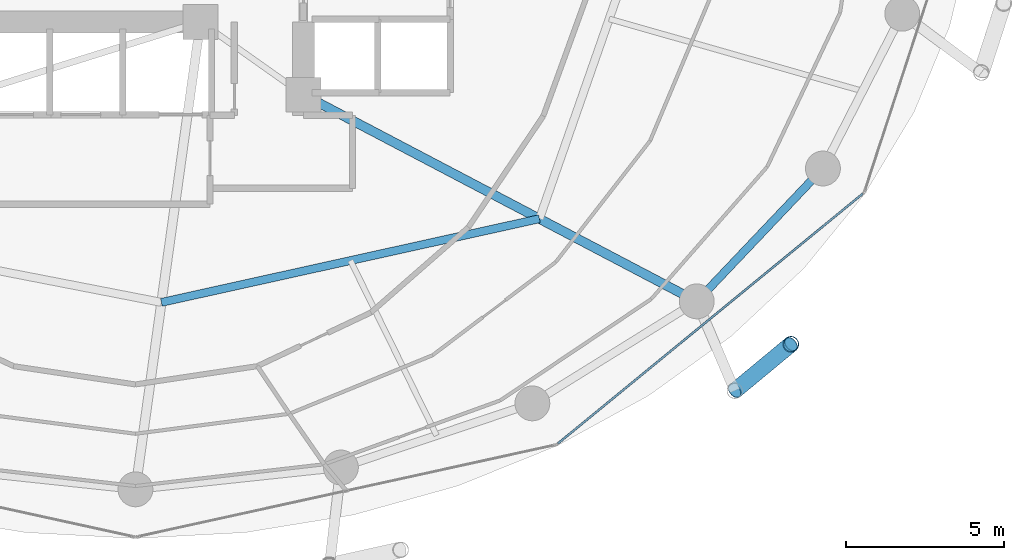
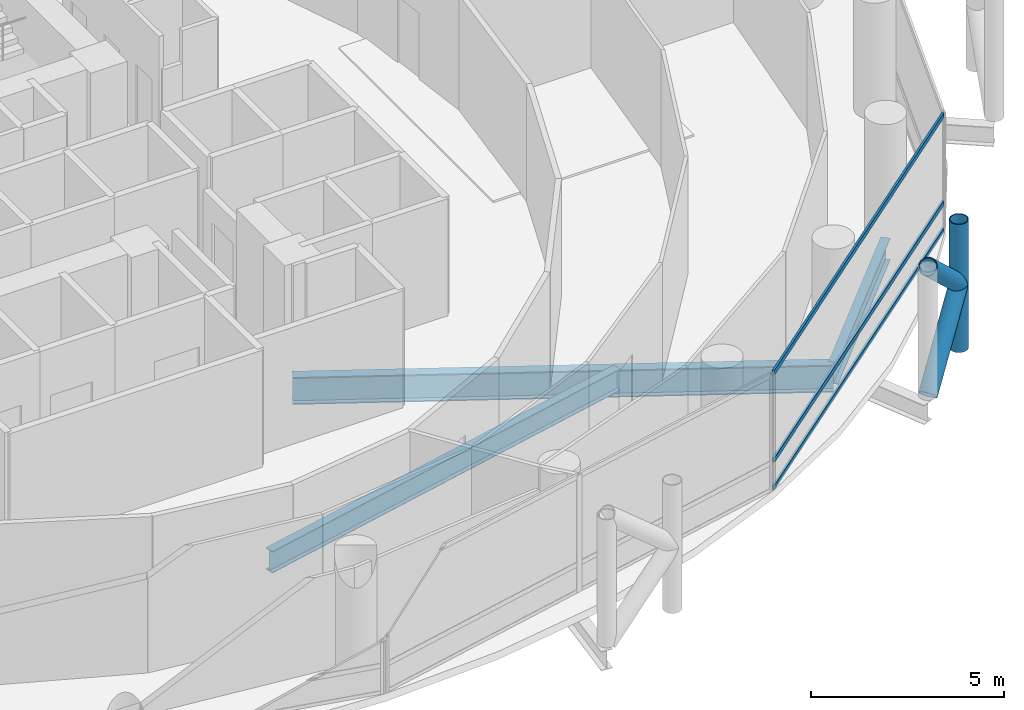
# One storey, part 9 of 27: 6 members, 3 beams, 1 element without a shape of its own.
"""IFC4 building model written with IfcOpenShell, lengths in metres."""

import ifcopenshell
import ifcopenshell.guid

model = None  # the IFC model being written
_history = None  # IfcOwnerHistory: only IFC2X3 demands one
_inside = {}  # id of a spatial element -> (the spatial element, [elements in it])
_under = {}  # id of a project, library or spatial element -> (it, [spatial elements below it])
_declared = {}  # id of a project -> (the project, [libraries it declares])
_typed = {}  # id of a type object -> (the type object, [elements of that type])
_made_of = {}  # id of a material, layer set ... -> (it, [elements and type objects made of it])


def new_model(schema):
    """Start an empty IFC model of exactly this schema.

    Asked for "IFC4X3", IfcOpenShell would pick the latest addendum, in which some entities
    have other attributes; the version numbers below select the first issue.
    IFC2X3 requires an IfcOwnerHistory on every rooted entity: one is made here for all.
    """
    global model, _history
    if schema == "IFC4X3":
        model = ifcopenshell.file(schema_version=(4, 3, 0, 0))
    else:
        model = ifcopenshell.file(schema=schema)
    _inside.clear()
    _under.clear()
    _declared.clear()
    _typed.clear()
    _made_of.clear()
    _history = None
    if model.schema == "IFC2X3":
        org = make("IfcOrganization", Name="unknown")
        user = make(
            "IfcPersonAndOrganization",
            ThePerson=make("IfcPerson", FamilyName="unknown"),
            TheOrganization=org,
        )
        app = make(
            "IfcApplication",
            ApplicationDeveloper=org,
            Version="unknown",
            ApplicationFullName="unknown",
            ApplicationIdentifier="unknown",
        )
        _history = make(
            "IfcOwnerHistory",
            OwningUser=user,
            OwningApplication=app,
            ChangeAction="ADDED",
            CreationDate=0,
        )
    return model


def make(cls, **values):
    """One entity of the class cls with the attributes given. An attribute that is None is left unset."""
    return model.create_entity(
        cls, **{name: value for name, value in values.items() if value is not None}
    )


def rooted(cls, **values):
    """An entity with a GlobalId (a new one), such as an element, a storey or a relation."""
    return make(cls, GlobalId=ifcopenshell.guid.new(), OwnerHistory=_history, **values)


def si_unit(unit_type, name, prefix=None):
    """IfcSIUnit, for example si_unit("LENGTHUNIT", "METRE", prefix="MILLI")."""
    return make("IfcSIUnit", UnitType=unit_type, Prefix=prefix, Name=name)


def assignment(units):
    """IfcUnitAssignment: the units of a project."""
    return None if units is None else make("IfcUnitAssignment", Units=units)


def point(xyz):
    """IfcCartesianPoint."""
    return None if xyz is None else make("IfcCartesianPoint", Coordinates=xyz)


def direction(xyz):
    """IfcDirection."""
    return None if xyz is None else make("IfcDirection", DirectionRatios=xyz)


def frame(location, z_axis=None, x_axis=None):
    """IfcAxis2Placement3D, a coordinate frame: its origin and axes. An axis left out is left unset."""
    return make(
        "IfcAxis2Placement3D",
        Location=point(location),
        Axis=direction(z_axis),
        RefDirection=direction(x_axis),
    )


def frame_2d(location, x_axis=None):
    """IfcAxis2Placement2D, a coordinate frame in the plane: its origin and x axis."""
    return make(
        "IfcAxis2Placement2D", Location=point(location), RefDirection=direction(x_axis)
    )


def origin():
    """The frame at (0, 0, 0) with its axes left unset."""
    return frame((0.0, 0.0, 0.0))


def origin_2d():
    """The frame at (0, 0) in the plane with its x axis left unset."""
    return frame_2d((0.0, 0.0))


def place(relative_to, where):
    """IfcLocalPlacement: puts the frame where relative to a parent placement (None: the world)."""
    return make(
        "IfcLocalPlacement", PlacementRelTo=relative_to, RelativePlacement=where
    )


def context(
    kind, dimensions, precision=None, world=None, true_north=None, identifier=None
):
    """IfcGeometricRepresentationContext, for example the 3D "Model" context."""
    return make(
        "IfcGeometricRepresentationContext",
        ContextIdentifier=identifier,
        ContextType=kind,
        CoordinateSpaceDimension=dimensions,
        Precision=precision,
        WorldCoordinateSystem=world,
        TrueNorth=true_north,
    )


def subcontext(parent, identifier, kind, view, scale=None):
    """IfcGeometricRepresentationSubContext, for example "Body" below "Model"."""
    return make(
        "IfcGeometricRepresentationSubContext",
        ContextIdentifier=identifier,
        ContextType=kind,
        ParentContext=parent,
        TargetScale=scale,
        TargetView=view,
    )


def project(units=None, contexts=None):
    """IfcProject with its units and contexts."""
    return rooted(
        "IfcProject",
        Name="project",
        RepresentationContexts=contexts,
        UnitsInContext=assignment(units),
    )


def spatial(cls, under=None, at=None, **own):
    """A site, building, storey or space (cls), placed at a placement, below another one or the project."""
    s = rooted(cls, ObjectPlacement=at, **own)
    if under is not None:
        _under.setdefault(under.id(), (under, []))[1].append(s)
    return s


def profile(cls, at=None, kind="AREA", **sizes):
    """A parametric profile (cls). Its sizes go by their IFC names, for example OverallWidth=200.0."""
    return make(cls, ProfileType=kind, Position=at, **sizes)


def hollow_rectangle(**sizes):
    """IfcRectangleHollowProfileDef."""
    return profile("IfcRectangleHollowProfileDef", **sizes)


def hollow_circle(**sizes):
    """IfcCircleHollowProfileDef."""
    return profile("IfcCircleHollowProfileDef", **sizes)


def i_section(**sizes):
    """IfcIShapeProfileDef."""
    return profile("IfcIShapeProfileDef", **sizes)


def extrude(swept, where, along, depth):
    """IfcExtrudedAreaSolid: the profile swept, set in the frame where, extruded along a direction by depth."""
    return make(
        "IfcExtrudedAreaSolid",
        SweptArea=swept,
        Position=where,
        ExtrudedDirection=direction(along),
        Depth=depth,
    )


def shape(context_of_items, identifier, shape_type, items):
    """IfcShapeRepresentation: the items that make up one representation, for example the "Body"."""
    return make(
        "IfcShapeRepresentation",
        ContextOfItems=context_of_items,
        RepresentationIdentifier=identifier,
        RepresentationType=shape_type,
        Items=items,
    )


def material(Name=None, Category=None):
    """IfcMaterial."""
    return make("IfcMaterial", Name=Name, Category=Category)


def layer(
    of_material, thickness, ventilated=None, Name=None, Category=None, Priority=None
):
    """IfcMaterialLayer: one layer of a wall or slab, of a material (None: an air gap)."""
    return make(
        "IfcMaterialLayer",
        Material=of_material,
        LayerThickness=thickness,
        IsVentilated=ventilated,
        Name=Name,
        Category=Category,
        Priority=Priority,
    )


def layer_set(layers, Name=None):
    """IfcMaterialLayerSet."""
    return make("IfcMaterialLayerSet", MaterialLayers=layers, LayerSetName=Name)


def material_profile(
    of_material, cross_section, Name=None, Category=None, Priority=None
):
    """IfcMaterialProfile: a cross section and its material."""
    return make(
        "IfcMaterialProfile",
        Name=Name,
        Material=of_material,
        Profile=cross_section,
        Priority=Priority,
        Category=Category,
    )


def profile_set(profiles, Name=None, composite=None):
    """IfcMaterialProfileSet."""
    return make(
        "IfcMaterialProfileSet",
        Name=Name,
        MaterialProfiles=profiles,
        CompositeProfile=composite,
    )


def made_of(thing, what):
    """Note that an element or type object is made of a material, layer set ...; save() writes the relation."""
    if what is not None:
        _made_of.setdefault(what.id(), (what, []))[1].append(thing)
    return thing


def type_object(cls, material=None, **own):
    """A type object (cls), such as IfcWallType, which elements share."""
    return made_of(rooted(cls, **own), material)


def element(
    cls,
    number,
    at=None,
    inside=None,
    cuts=None,
    type_object=None,
    material=None,
    context=None,
    identifier="Body",
    shape_type=None,
    held_by="IfcProductDefinitionShape",
    body=None,
    shapes=None,
    **own,
):
    """One element of the class cls, such as IfcWall. Its Tag is "e" and its number.

    at: its placement. inside: the storey or other place that contains it. cuts: it is an
    opening in that element (IfcRelVoidsElement). A single representation is given by context,
    identifier, shape_type and body (its items); several are given by shapes. held_by: the class
    of the entity that holds the representations. save() writes the other relations.
    """
    e = rooted(cls, Tag="e%d" % number, ObjectPlacement=at, **own)
    if body is not None:
        shapes = [shape(context, identifier, shape_type, body)]
    if shapes is not None:
        e.Representation = make(held_by, Representations=shapes)
    if inside is not None:
        _inside.setdefault(inside.id(), (inside, []))[1].append(e)
    if cuts is not None:
        rooted(
            "IfcRelVoidsElement", RelatingBuildingElement=cuts, RelatedOpeningElement=e
        )
    if type_object is not None:
        _typed.setdefault(type_object.id(), (type_object, []))[1].append(e)
    return made_of(e, material)


def aggregate(whole, parts):
    """IfcRelAggregates: a whole, such as a stair, and the parts it consists of."""
    return rooted("IfcRelAggregates", RelatingObject=whole, RelatedObjects=parts)


def save(model, path):
    """Write the relations noted so far, then the file.

    IfcRelAggregates (storeys below a building ...), IfcRelContainedInSpatialStructure (elements
    in a storey), IfcRelDefinesByType, IfcRelAssociatesMaterial and IfcRelDeclares: one each for
    every whole, place, type object, material and project.
    """
    for whole, parts in _under.values():
        aggregate(whole, parts)
    for where, things in _inside.values():
        rooted(
            "IfcRelContainedInSpatialStructure",
            RelatedElements=things,
            RelatingStructure=where,
        )
    for kind, things in _typed.values():
        rooted("IfcRelDefinesByType", RelatedObjects=things, RelatingType=kind)
    for what, things in _made_of.values():
        rooted("IfcRelAssociatesMaterial", RelatedObjects=things, RelatingMaterial=what)
    for by, libraries in _declared.values():
        rooted("IfcRelDeclares", RelatingContext=by, RelatedDefinitions=libraries)
    model.write(path)


model = new_model("IFC4")

# Units and contexts
model_context = context("Model", 3, precision=1e-05, world=origin(), true_north=direction((0.0, 1.0)))
body_context = subcontext(model_context, "Body", "Model", "MODEL_VIEW")
ifc_project = project(units=[si_unit("LENGTHUNIT", "METRE"), si_unit("AREAUNIT", "SQUARE_METRE"), si_unit("VOLUMEUNIT", "CUBIC_METRE"), si_unit("PLANEANGLEUNIT", "RADIAN"), si_unit("MASSUNIT", "GRAM", prefix="KILO")], contexts=[model_context])

# Site, building, storey
site_placement = place(None, origin())
site = spatial("IfcSite", under=ifc_project, at=site_placement, CompositionType="ELEMENT")
building_placement = place(site_placement, origin())
building = spatial("IfcBuilding", under=site, at=building_placement, Name="Nuhasar Tower", CompositionType="ELEMENT")
storey_placement = place(building_placement, frame((0.0, 0.0, 102.0)))
storey = spatial("IfcBuildingStorey", under=building, at=storey_placement, Name="L24", CompositionType="ELEMENT", Elevation=102.0)

# Beams
ifc_material_1 = material(Name="Steel S355", Category="steel")
ifc_material_profile_1 = material_profile(ifc_material_1, i_section(OverallWidth=0.25390625, OverallDepth=0.68408203125, WebThickness=0.012451171875, FlangeThickness=0.018798828125, at=origin_2d()), Name="W27X94")
ifc_profile_set_1 = profile_set([ifc_material_profile_1], Name="Steel S355")
beam_type_1 = type_object("IfcBeamType", Name="BM-INRING-W27X94", PredefinedType="BEAM", material=ifc_profile_set_1)
beam_1_placement = place(storey_placement, frame((39.820068359375, 12.449951171875, -0.592041015625), z_axis=(0.976386023343, 0.216033176665, 0.0), x_axis=(-0.216033176665, 0.976386023343, 0.0)))
element("IfcBeam", 1, at=beam_1_placement, inside=storey, type_object=beam_type_1, Name="L24 Inner Header Beam 02", PredefinedType="BEAM", context=body_context, shape_type="SweptSolid", body=[
    extrude(i_section(OverallWidth=0.25390625, OverallDepth=0.68408203125, WebThickness=0.012451171875, FlangeThickness=0.018798828125, at=origin_2d()), origin(), (0.0, 0.0, 1.0), 12.216552734375),
])
ifc_material_profile_2 = material_profile(ifc_material_1, i_section(OverallWidth=0.2919921875, OverallDepth=0.85888671875, WebThickness=0.01708984375, FlangeThickness=0.031005859375, at=origin_2d()), Name="W33X169")
ifc_profile_set_2 = profile_set([ifc_material_profile_2], Name="Steel S355")
beam_type_2 = type_object("IfcBeamType", Name="BM-POD-W33X169", PredefinedType="BEAM", material=ifc_profile_set_2)
beam_2_placement = place(storey_placement, frame((44.300048828125, 19.0, -0.679931640625), z_axis=(0.885330348705, -0.464962550816, 0.0), x_axis=(0.464962550816, 0.885330348705, 0.0)))
element("IfcBeam", 2, at=beam_2_placement, inside=storey, type_object=beam_type_2, Name="L24 Radial Floor Girder 03", PredefinedType="BEAM", context=body_context, shape_type="SweptSolid", body=[
    extrude(i_section(OverallWidth=0.2919921875, OverallDepth=0.85888671875, WebThickness=0.01708984375, FlangeThickness=0.031005859375, at=origin_2d()), origin(), (0.0, 0.0, 1.0), 14.0205078125),
])
ifc_material_profile_3 = material_profile(ifc_material_1, i_section(OverallWidth=0.256103515625, OverallDepth=0.693115234375, WebThickness=0.014404296875, FlangeThickness=0.023681640625, at=origin_2d()), Name="W27X114")
ifc_profile_set_3 = profile_set([ifc_material_profile_3], Name="Steel S355")
beam_type_3 = type_object("IfcBeamType", Name="BM-RING-W27X114", PredefinedType="SPANDREL", material=ifc_profile_set_3)
beam_3_placement = place(storey_placement, frame((56.712890625, 12.48095703125, -0.596923828125), z_axis=(0.688459812429, 0.725274490569, 0.0), x_axis=(-0.725274490569, 0.688459812429, 0.0)))
element("IfcBeam", 3, at=beam_3_placement, inside=storey, type_object=beam_type_3, Name="L24 Perimeter Ring Spandrel 22", PredefinedType="SPANDREL", context=body_context, shape_type="SweptSolid", body=[
    extrude(i_section(OverallWidth=0.256103515625, OverallDepth=0.693115234375, WebThickness=0.014404296875, FlangeThickness=0.023681640625, at=origin_2d()), origin(), (0.0, 0.0, 1.0), 5.78271484375),
])

# Curtain wall, members
ifc_material_2 = material(Name="Aluminium 6063-T6", Category="aluminium")
ifc_layer = layer(ifc_material_2, 0.199951171875)
ifc_layer_set = layer_set([ifc_layer], Name="Aluminium 6063-T6")
curtain_wall_type = type_object("IfcCurtainWallType", Name="CW-Z1-OFF", PredefinedType="NOTDEFINED", material=ifc_layer_set)
curtain_wall_placement = place(storey_placement, origin())
curtain_wall = element("IfcCurtainWall", 4, at=curtain_wall_placement, inside=storey, type_object=curtain_wall_type, Name="L24 Unitised Curtain Wall 11", PredefinedType="NOTDEFINED")
ifc_material_profile_4 = material_profile(ifc_material_2, hollow_rectangle(XDim=0.06494140625, YDim=0.14990234375, WallThickness=0.00439453125, at=origin_2d()), Name="CWT-2")
ifc_profile_set_4 = profile_set([ifc_material_profile_4], Name="Aluminium 6063-T6")
member_type_1 = type_object("IfcMemberType", Name="CW-TRN-S2", PredefinedType="USERDEFINED", material=ifc_profile_set_4)
member_1_placement = place(storey_placement, frame((52.330322265625, 7.99609375, 0.032470703125), z_axis=(0.773531229158, 0.633758185365, 0.0), x_axis=(-0.633758185365, 0.773531229158, 0.0)))
member_1 = element("IfcMember", 5, at=member_1_placement, type_object=member_type_1, Name="CW-Z1 transom 1.1", ObjectType="TRANSOM", PredefinedType="USERDEFINED", context=body_context, shape_type="SweptSolid", body=[
    extrude(hollow_rectangle(XDim=0.06494140625, YDim=0.14990234375, WallThickness=0.00439453125, at=origin_2d()), origin(), (0.0, 0.0, 1.0), 12.438232421875),
])
member_2_placement = place(storey_placement, frame((52.330322265625, 7.99609375, 0.89990234375), z_axis=(0.773531229158, 0.633758185365, 0.0), x_axis=(-0.633758185365, 0.773531229158, 0.0)))
member_2 = element("IfcMember", 6, at=member_2_placement, type_object=member_type_1, Name="CW-Z1 transom 1.2", ObjectType="TRANSOM", PredefinedType="USERDEFINED", context=body_context, shape_type="SweptSolid", body=[
    extrude(hollow_rectangle(XDim=0.06494140625, YDim=0.14990234375, WallThickness=0.00439453125, at=origin_2d()), origin(), (0.0, 0.0, 1.0), 12.438232421875),
])
member_3_placement = place(storey_placement, frame((52.330322265625, 7.99609375, 3.66748046875), z_axis=(0.773531229158, 0.633758185365, 0.0), x_axis=(-0.633758185365, 0.773531229158, 0.0)))
member_3 = element("IfcMember", 7, at=member_3_placement, type_object=member_type_1, Name="CW-Z1 transom 1.3", ObjectType="TRANSOM", PredefinedType="USERDEFINED", context=body_context, shape_type="SweptSolid", body=[
    extrude(hollow_rectangle(XDim=0.06494140625, YDim=0.14990234375, WallThickness=0.00439453125, at=origin_2d()), origin(), (0.0, 0.0, 1.0), 12.438232421875),
])
aggregate(curtain_wall, [member_1, member_2, member_3])

# Members
ifc_material_3 = material(Name="Steel S460", Category="steel")
ifc_material_profile_5 = material_profile(ifc_material_3, hollow_circle(Radius=0.25390625, WallThickness=0.025390625, at=origin_2d()), Name="HSS508X25.4")
ifc_profile_set_5 = profile_set([ifc_material_profile_5], Name="Steel S460")
member_type_2 = type_object("IfcMemberType", Name="EXO-BRONZE-508", PredefinedType="BRACE", material=ifc_profile_set_5)
member_4_placement = place(storey_placement, frame((59.68505859375, 11.12890625, 0.0), z_axis=(0.0, 0.0, 1.0), x_axis=(1.0, 0.0, 0.0)))
element("IfcMember", 8, at=member_4_placement, inside=storey, type_object=member_type_2, Name="L24 Exoskeleton Chord Column EC-11B", PredefinedType="BRACE", context=body_context, shape_type="SweptSolid", body=[
    extrude(hollow_circle(Radius=0.25390625, WallThickness=0.025390625, at=origin_2d()), origin(), (0.0, 0.0, 1.0), 4.050048828125),
])
member_5_placement = place(storey_placement, frame((57.9130859375, 9.660888671875, 0.0), z_axis=(0.578101613167, 0.478937034992, 0.660619286251), x_axis=(-0.637969333506, 0.770061769929, 0.0)))
element("IfcMember", 9, at=member_5_placement, inside=storey, type_object=member_type_2, Name="L24 Bronze Diagrid Brace W1-11", PredefinedType="BRACE", context=body_context, shape_type="SweptSolid", body=[
    extrude(hollow_circle(Radius=0.25390625, WallThickness=0.025390625, at=origin_2d()), origin(), (0.0, 0.0, 1.0), 3.065185546875),
])
member_6_placement = place(storey_placement, frame((59.68505859375, 11.12890625, 2.02490234375), z_axis=(-0.578071194894, -0.478911834514, 0.660664172175), x_axis=(0.637969333506, -0.770061769929, 0.0)))
element("IfcMember", 10, at=member_6_placement, inside=storey, type_object=member_type_2, Name="L24 Bronze Diagrid Brace W2-11", PredefinedType="BRACE", context=body_context, shape_type="SweptSolid", body=[
    extrude(hollow_circle(Radius=0.25390625, WallThickness=0.025390625, at=origin_2d()), origin(), (0.0, 0.0, 1.0), 3.0654296875),
])

save(model, "model.ifc")
